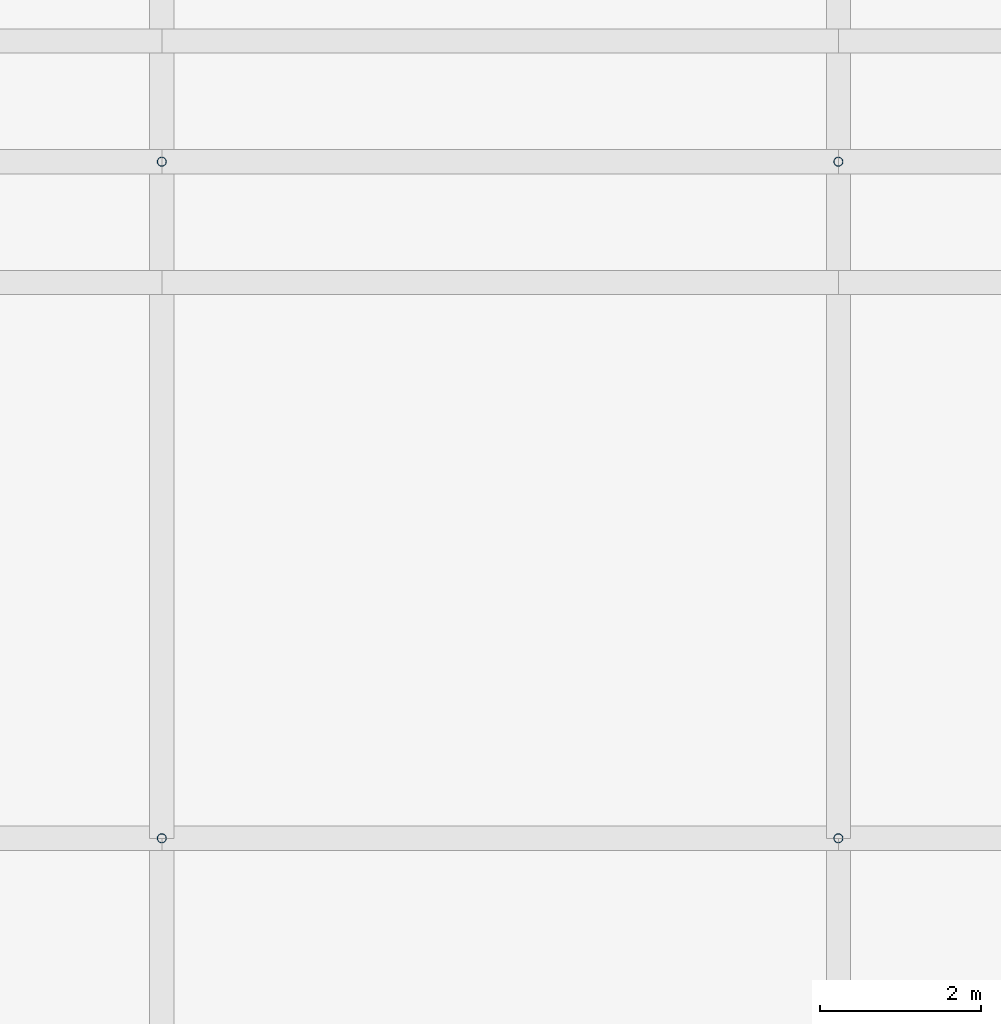
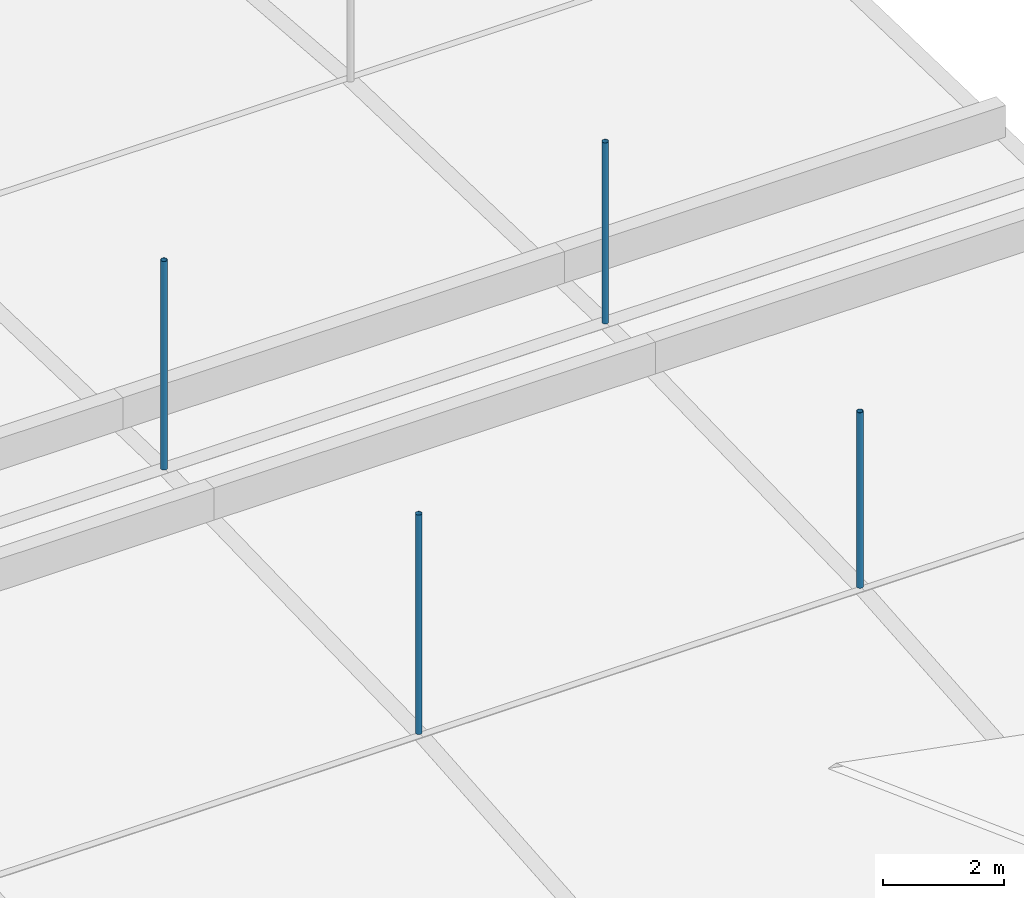
# One storey, part 25 of 37: 4 discrete accessories.
"""IFC4 building model written with IfcOpenShell, lengths in metres."""

import ifcopenshell
import ifcopenshell.guid

model = None  # the IFC model being written
_history = None  # IfcOwnerHistory: only IFC2X3 demands one
_inside = {}  # id of a spatial element -> (the spatial element, [elements in it])
_under = {}  # id of a project, library or spatial element -> (it, [spatial elements below it])
_declared = {}  # id of a project -> (the project, [libraries it declares])
_typed = {}  # id of a type object -> (the type object, [elements of that type])
_made_of = {}  # id of a material, layer set ... -> (it, [elements and type objects made of it])


def new_model(schema):
    """Start an empty IFC model of exactly this schema.

    Asked for "IFC4X3", IfcOpenShell would pick the latest addendum, in which some entities
    have other attributes; the version numbers below select the first issue.
    IFC2X3 requires an IfcOwnerHistory on every rooted entity: one is made here for all.
    """
    global model, _history
    if schema == "IFC4X3":
        model = ifcopenshell.file(schema_version=(4, 3, 0, 0))
    else:
        model = ifcopenshell.file(schema=schema)
    _inside.clear()
    _under.clear()
    _declared.clear()
    _typed.clear()
    _made_of.clear()
    _history = None
    if model.schema == "IFC2X3":
        org = make("IfcOrganization", Name="unknown")
        user = make(
            "IfcPersonAndOrganization",
            ThePerson=make("IfcPerson", FamilyName="unknown"),
            TheOrganization=org,
        )
        app = make(
            "IfcApplication",
            ApplicationDeveloper=org,
            Version="unknown",
            ApplicationFullName="unknown",
            ApplicationIdentifier="unknown",
        )
        _history = make(
            "IfcOwnerHistory",
            OwningUser=user,
            OwningApplication=app,
            ChangeAction="ADDED",
            CreationDate=0,
        )
    return model


def make(cls, **values):
    """One entity of the class cls with the attributes given. An attribute that is None is left unset."""
    return model.create_entity(
        cls, **{name: value for name, value in values.items() if value is not None}
    )


def rooted(cls, **values):
    """An entity with a GlobalId (a new one), such as an element, a storey or a relation."""
    return make(cls, GlobalId=ifcopenshell.guid.new(), OwnerHistory=_history, **values)


def si_unit(unit_type, name, prefix=None):
    """IfcSIUnit, for example si_unit("LENGTHUNIT", "METRE", prefix="MILLI")."""
    return make("IfcSIUnit", UnitType=unit_type, Prefix=prefix, Name=name)


def assignment(units):
    """IfcUnitAssignment: the units of a project."""
    return None if units is None else make("IfcUnitAssignment", Units=units)


def point(xyz):
    """IfcCartesianPoint."""
    return None if xyz is None else make("IfcCartesianPoint", Coordinates=xyz)


def direction(xyz):
    """IfcDirection."""
    return None if xyz is None else make("IfcDirection", DirectionRatios=xyz)


def frame(location, z_axis=None, x_axis=None):
    """IfcAxis2Placement3D, a coordinate frame: its origin and axes. An axis left out is left unset."""
    return make(
        "IfcAxis2Placement3D",
        Location=point(location),
        Axis=direction(z_axis),
        RefDirection=direction(x_axis),
    )


def frame_2d(location, x_axis=None):
    """IfcAxis2Placement2D, a coordinate frame in the plane: its origin and x axis."""
    return make(
        "IfcAxis2Placement2D", Location=point(location), RefDirection=direction(x_axis)
    )


def origin():
    """The frame at (0, 0, 0) with its axes left unset."""
    return frame((0.0, 0.0, 0.0))


def origin_2d():
    """The frame at (0, 0) in the plane with its x axis left unset."""
    return frame_2d((0.0, 0.0))


def place(relative_to, where):
    """IfcLocalPlacement: puts the frame where relative to a parent placement (None: the world)."""
    return make(
        "IfcLocalPlacement", PlacementRelTo=relative_to, RelativePlacement=where
    )


def context(
    kind, dimensions, precision=None, world=None, true_north=None, identifier=None
):
    """IfcGeometricRepresentationContext, for example the 3D "Model" context."""
    return make(
        "IfcGeometricRepresentationContext",
        ContextIdentifier=identifier,
        ContextType=kind,
        CoordinateSpaceDimension=dimensions,
        Precision=precision,
        WorldCoordinateSystem=world,
        TrueNorth=true_north,
    )


def subcontext(parent, identifier, kind, view, scale=None):
    """IfcGeometricRepresentationSubContext, for example "Body" below "Model"."""
    return make(
        "IfcGeometricRepresentationSubContext",
        ContextIdentifier=identifier,
        ContextType=kind,
        ParentContext=parent,
        TargetScale=scale,
        TargetView=view,
    )


def project(units=None, contexts=None):
    """IfcProject with its units and contexts."""
    return rooted(
        "IfcProject",
        Name="project",
        RepresentationContexts=contexts,
        UnitsInContext=assignment(units),
    )


def spatial(cls, under=None, at=None, **own):
    """A site, building, storey or space (cls), placed at a placement, below another one or the project."""
    s = rooted(cls, ObjectPlacement=at, **own)
    if under is not None:
        _under.setdefault(under.id(), (under, []))[1].append(s)
    return s


def profile(cls, at=None, kind="AREA", **sizes):
    """A parametric profile (cls). Its sizes go by their IFC names, for example OverallWidth=200.0."""
    return make(cls, ProfileType=kind, Position=at, **sizes)


def hollow_circle(**sizes):
    """IfcCircleHollowProfileDef."""
    return profile("IfcCircleHollowProfileDef", **sizes)


def extrude(swept, where, along, depth):
    """IfcExtrudedAreaSolid: the profile swept, set in the frame where, extruded along a direction by depth."""
    return make(
        "IfcExtrudedAreaSolid",
        SweptArea=swept,
        Position=where,
        ExtrudedDirection=direction(along),
        Depth=depth,
    )


def shape(context_of_items, identifier, shape_type, items):
    """IfcShapeRepresentation: the items that make up one representation, for example the "Body"."""
    return make(
        "IfcShapeRepresentation",
        ContextOfItems=context_of_items,
        RepresentationIdentifier=identifier,
        RepresentationType=shape_type,
        Items=items,
    )


def material(Name=None, Category=None):
    """IfcMaterial."""
    return make("IfcMaterial", Name=Name, Category=Category)


def material_profile(
    of_material, cross_section, Name=None, Category=None, Priority=None
):
    """IfcMaterialProfile: a cross section and its material."""
    return make(
        "IfcMaterialProfile",
        Name=Name,
        Material=of_material,
        Profile=cross_section,
        Priority=Priority,
        Category=Category,
    )


def profile_set(profiles, Name=None, composite=None):
    """IfcMaterialProfileSet."""
    return make(
        "IfcMaterialProfileSet",
        Name=Name,
        MaterialProfiles=profiles,
        CompositeProfile=composite,
    )


def made_of(thing, what):
    """Note that an element or type object is made of a material, layer set ...; save() writes the relation."""
    if what is not None:
        _made_of.setdefault(what.id(), (what, []))[1].append(thing)
    return thing


def type_object(cls, material=None, **own):
    """A type object (cls), such as IfcWallType, which elements share."""
    return made_of(rooted(cls, **own), material)


def element(
    cls,
    number,
    at=None,
    inside=None,
    cuts=None,
    type_object=None,
    material=None,
    context=None,
    identifier="Body",
    shape_type=None,
    held_by="IfcProductDefinitionShape",
    body=None,
    shapes=None,
    **own,
):
    """One element of the class cls, such as IfcWall. Its Tag is "e" and its number.

    at: its placement. inside: the storey or other place that contains it. cuts: it is an
    opening in that element (IfcRelVoidsElement). A single representation is given by context,
    identifier, shape_type and body (its items); several are given by shapes. held_by: the class
    of the entity that holds the representations. save() writes the other relations.
    """
    e = rooted(cls, Tag="e%d" % number, ObjectPlacement=at, **own)
    if body is not None:
        shapes = [shape(context, identifier, shape_type, body)]
    if shapes is not None:
        e.Representation = make(held_by, Representations=shapes)
    if inside is not None:
        _inside.setdefault(inside.id(), (inside, []))[1].append(e)
    if cuts is not None:
        rooted(
            "IfcRelVoidsElement", RelatingBuildingElement=cuts, RelatedOpeningElement=e
        )
    if type_object is not None:
        _typed.setdefault(type_object.id(), (type_object, []))[1].append(e)
    return made_of(e, material)


def aggregate(whole, parts):
    """IfcRelAggregates: a whole, such as a stair, and the parts it consists of."""
    return rooted("IfcRelAggregates", RelatingObject=whole, RelatedObjects=parts)


def save(model, path):
    """Write the relations noted so far, then the file.

    IfcRelAggregates (storeys below a building ...), IfcRelContainedInSpatialStructure (elements
    in a storey), IfcRelDefinesByType, IfcRelAssociatesMaterial and IfcRelDeclares: one each for
    every whole, place, type object, material and project.
    """
    for whole, parts in _under.values():
        aggregate(whole, parts)
    for where, things in _inside.values():
        rooted(
            "IfcRelContainedInSpatialStructure",
            RelatedElements=things,
            RelatingStructure=where,
        )
    for kind, things in _typed.values():
        rooted("IfcRelDefinesByType", RelatedObjects=things, RelatingType=kind)
    for what, things in _made_of.values():
        rooted("IfcRelAssociatesMaterial", RelatedObjects=things, RelatingMaterial=what)
    for by, libraries in _declared.values():
        rooted("IfcRelDeclares", RelatingContext=by, RelatedDefinitions=libraries)
    model.write(path)


model = new_model("IFC4")

# Units and contexts
model_context = context("Model", 3, precision=1e-05, world=origin(), true_north=direction((0.0, 1.0)))
body_context = subcontext(model_context, "Body", "Model", "MODEL_VIEW")
ifc_project = project(units=[si_unit("LENGTHUNIT", "METRE"), si_unit("AREAUNIT", "SQUARE_METRE"), si_unit("VOLUMEUNIT", "CUBIC_METRE"), si_unit("PLANEANGLEUNIT", "RADIAN"), si_unit("MASSUNIT", "GRAM", prefix="KILO")], contexts=[model_context])

# Site, building, storey
site_placement = place(None, origin())
site = spatial("IfcSite", under=ifc_project, at=site_placement, CompositionType="ELEMENT")
building_placement = place(site_placement, origin())
building = spatial("IfcBuilding", under=site, at=building_placement, Name="Rain Tree Exposition and Congress Centre", CompositionType="ELEMENT")
storey_placement = place(building_placement, frame((0.0, 0.0, 25.0)))
storey = spatial("IfcBuildingStorey", under=building, at=storey_placement, Name="ROOF VAULT LOW", CompositionType="ELEMENT", Elevation=25.0)

# Discrete accessories
ifc_material = material(Name="Steel S355J2H", Category="steel")
ifc_material_profile = material_profile(ifc_material, hollow_circle(Radius=0.05712890625, WallThickness=0.00439453125, at=origin_2d()), Name="CHS 114x4.5")
ifc_profile_set = profile_set([ifc_material_profile], Name="Steel S355J2H")
discrete_accessory_type = type_object("IfcDiscreteAccessoryType", Name="Roof skin post CHS 114x4.5", PredefinedType="BRACKET", material=ifc_profile_set)
discrete_accessory_1_placement = place(storey_placement, frame((109.199951171875, 142.800048828125, 1.1728515625), z_axis=(0.0, 0.0, 1.0), x_axis=(1.0, 0.0, 0.0)))
element("IfcDiscreteAccessory", 1, at=discrete_accessory_1_placement, inside=storey, type_object=discrete_accessory_type, Name="Roof skin post A88", PredefinedType="BRACKET", context=body_context, shape_type="SweptSolid", body=[
    extrude(hollow_circle(Radius=0.05712890625, WallThickness=0.00439453125, at=origin_2d()), origin(), (0.0, 0.0, 1.0), 4.414794921875),
])
discrete_accessory_2_placement = place(storey_placement, frame((117.60009765625, 142.800048828125, 1.1728515625), z_axis=(0.0, 0.0, 1.0), x_axis=(1.0, 0.0, 0.0)))
element("IfcDiscreteAccessory", 2, at=discrete_accessory_2_placement, inside=storey, type_object=discrete_accessory_type, Name="Roof skin post A89", PredefinedType="BRACKET", context=body_context, shape_type="SweptSolid", body=[
    extrude(hollow_circle(Radius=0.05712890625, WallThickness=0.00439453125, at=origin_2d()), origin(), (0.0, 0.0, 1.0), 3.5322265625),
])
discrete_accessory_3_placement = place(storey_placement, frame((109.199951171875, 151.199951171875, 1.39990234375), z_axis=(0.0, 0.0, 1.0), x_axis=(1.0, 0.0, 0.0)))
element("IfcDiscreteAccessory", 3, at=discrete_accessory_3_placement, inside=storey, type_object=discrete_accessory_type, Name="Roof skin post A103", PredefinedType="BRACKET", context=body_context, shape_type="SweptSolid", body=[
    extrude(hollow_circle(Radius=0.05712890625, WallThickness=0.00439453125, at=origin_2d()), origin(), (0.0, 0.0, 1.0), 4.197265625),
])
discrete_accessory_4_placement = place(storey_placement, frame((117.60009765625, 151.199951171875, 1.39990234375), z_axis=(0.0, 0.0, 1.0), x_axis=(1.0, 0.0, 0.0)))
element("IfcDiscreteAccessory", 4, at=discrete_accessory_4_placement, inside=storey, type_object=discrete_accessory_type, Name="Roof skin post A104", PredefinedType="BRACKET", context=body_context, shape_type="SweptSolid", body=[
    extrude(hollow_circle(Radius=0.05712890625, WallThickness=0.00439453125, at=origin_2d()), origin(), (0.0, 0.0, 1.0), 3.64306640625),
])

save(model, "model.ifc")
